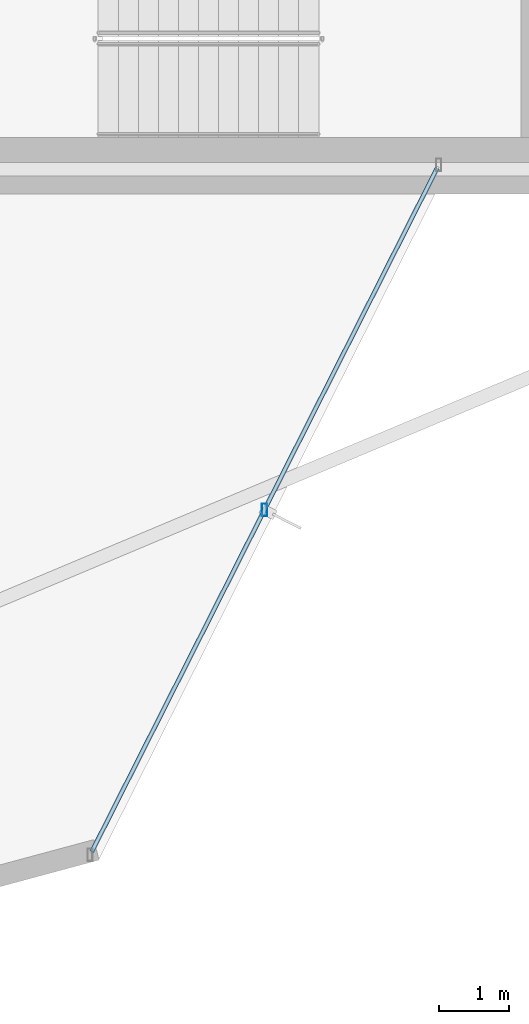
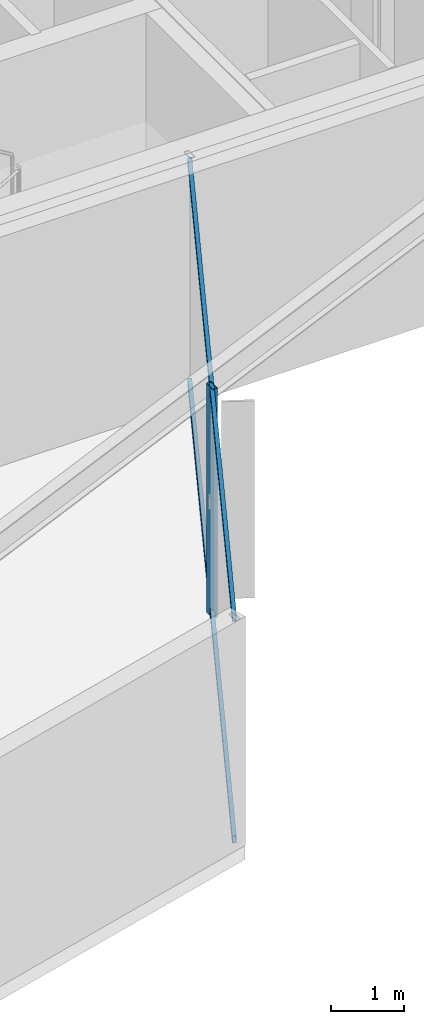
# One storey, part 12 of 25: 3 members, 1 element without a shape of its own.
"""IFC4 building model written with IfcOpenShell, lengths in metres."""

from ifc_helpers import new_model, si_unit, direction, frame, origin, origin_2d, place, context, subcontext, project, spatial, hollow_rectangle, extrude, material, layer, layer_set, material_profile, profile_set, type_object, element, aggregate, save


model = new_model("IFC4")

# Units and contexts
model_context = context("Model", 3, precision=1e-05, world=origin(), true_north=direction((0.0, 1.0)))
body_context = subcontext(model_context, "Body", "Model", "MODEL_VIEW")
ifc_project = project(units=[si_unit("LENGTHUNIT", "METRE"), si_unit("AREAUNIT", "SQUARE_METRE"), si_unit("VOLUMEUNIT", "CUBIC_METRE"), si_unit("PLANEANGLEUNIT", "RADIAN"), si_unit("MASSUNIT", "GRAM", prefix="KILO")], contexts=[model_context])

# Site, building, storey
site_placement = place(None, origin())
site = spatial("IfcSite", under=ifc_project, at=site_placement, CompositionType="ELEMENT")
building_placement = place(site_placement, origin())
building = spatial("IfcBuilding", under=site, at=building_placement, Name="Veymaron Broadcast Tower", CompositionType="ELEMENT")
storey_placement = place(building_placement, frame((0.0, 0.0, 129.0)))
storey = spatial("IfcBuildingStorey", under=building, at=storey_placement, Name="L29", CompositionType="ELEMENT", Elevation=129.0)

# Curtain wall, members
ifc_material_1 = material(Name="Anodised aluminium AA 6063-T6 and laminated low-E dark glass", Category="aluminium")
ifc_layer = layer(ifc_material_1, 0.179931640625)
ifc_layer_set = layer_set([ifc_layer], Name="Anodised aluminium AA 6063-T6 and laminated low-E dark glass")
curtain_wall_type = type_object("IfcCurtainWallType", Name="CW-SYS-03", PredefinedType="NOTDEFINED", material=ifc_layer_set)
curtain_wall_placement = place(storey_placement, origin())
curtain_wall = element("IfcCurtainWall", 1, at=curtain_wall_placement, inside=storey, type_object=curtain_wall_type, Name="L29 dark-glass curtain wall CW-L29-E20-1", PredefinedType="NOTDEFINED")
ifc_material_2 = material(Name="Anodised aluminium AA 6063-T6", Category="aluminium")
ifc_material_profile_1 = material_profile(ifc_material_2, hollow_rectangle(XDim=0.074951171875, YDim=0.179931640625, WallThickness=0.0048828125, at=origin_2d()), Name="AL180X75X5")
ifc_profile_set_1 = profile_set([ifc_material_profile_1], Name="Anodised aluminium AA 6063-T6")
member_type_1 = type_object("IfcMemberType", Name="CW-MUL-02", PredefinedType="MULLION", material=ifc_profile_set_1)
member_1_placement = place(storey_placement, frame((43.79296875, 11.158203125, 0.0), z_axis=(0.0, 0.0, 1.0), x_axis=(1.0, 0.0, 0.0)))
member_1 = element("IfcMember", 2, at=member_1_placement, type_object=member_type_1, Name="CW-L29-E20-1 mullion 1", PredefinedType="MULLION", context=body_context, shape_type="SweptSolid", body=[
    extrude(hollow_rectangle(XDim=0.074951171875, YDim=0.179931640625, WallThickness=0.0048828125, at=origin_2d()), origin(), (0.0, 0.0, 1.0), 3.81005859375),
])
ifc_material_profile_2 = material_profile(ifc_material_2, hollow_rectangle(XDim=0.06005859375, YDim=0.1201171875, WallThickness=0.00390625, at=origin_2d()), Name="AL120X60X4")
ifc_profile_set_2 = profile_set([ifc_material_profile_2], Name="Anodised aluminium AA 6063-T6")
member_type_2 = type_object("IfcMemberType", Name="CW-TRN-02", PredefinedType="USERDEFINED", material=ifc_profile_set_2)
member_2_placement = place(storey_placement, frame((41.33740234375, 6.297607421875, 0.070068359375), z_axis=(0.45091301008, 0.892567900689, 0.0), x_axis=(-0.892567900689, 0.45091301008, 0.0)))
member_2 = element("IfcMember", 3, at=member_2_placement, type_object=member_type_2, Name="CW-L29-E20-1 transom B", ObjectType="TRANSOM", PredefinedType="USERDEFINED", context=body_context, shape_type="SweptSolid", body=[
    extrude(hollow_rectangle(XDim=0.06005859375, YDim=0.1201171875, WallThickness=0.00390625, at=origin_2d()), origin(), (0.0, 0.0, 1.0), 10.890869140625),
])
member_3_placement = place(storey_placement, frame((41.33740234375, 6.297607421875, 3.739990234375), z_axis=(0.45091301008, 0.892567900689, 0.0), x_axis=(-0.892567900689, 0.45091301008, 0.0)))
member_3 = element("IfcMember", 4, at=member_3_placement, type_object=member_type_2, Name="CW-L29-E20-1 transom T", ObjectType="TRANSOM", PredefinedType="USERDEFINED", context=body_context, shape_type="SweptSolid", body=[
    extrude(hollow_rectangle(XDim=0.06005859375, YDim=0.1201171875, WallThickness=0.00390625, at=origin_2d()), origin(), (0.0, 0.0, 1.0), 10.890869140625),
])
aggregate(curtain_wall, [member_1, member_2, member_3])

save(model, "model.ifc")
